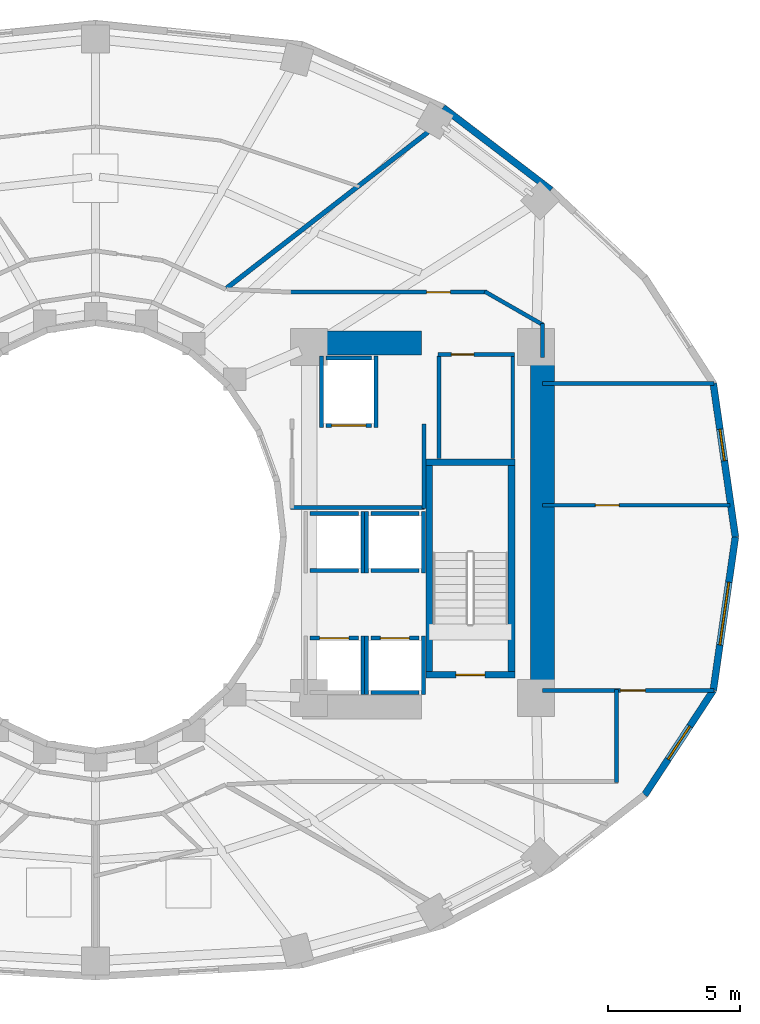
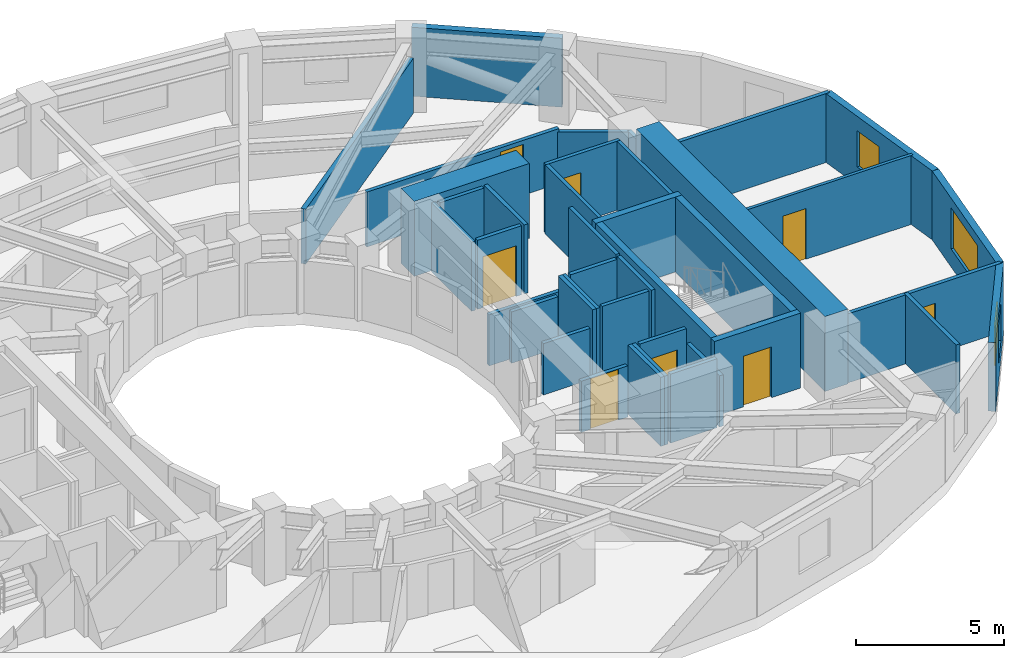
# One storey, part 6 of 9: 40 walls, 8 doors, 3 windows, 11 openings.
"""IFC4 building model written with IfcOpenShell, lengths in metres."""

from ifc_helpers import new_model, si_unit, direction, frame, frame_2d, origin, place, context, subcontext, project, spatial, rectangle, extrude, material, layer, layer_set, type_object, element, fill, save


model = new_model("IFC4")

# Units and contexts
model_context = context("Model", 3, precision=1e-05, world=origin(), true_north=direction((0.0, 1.0)))
body_context = subcontext(model_context, "Body", "Model", "MODEL_VIEW")
ifc_project = project(units=[si_unit("LENGTHUNIT", "METRE"), si_unit("AREAUNIT", "SQUARE_METRE"), si_unit("VOLUMEUNIT", "CUBIC_METRE"), si_unit("PLANEANGLEUNIT", "RADIAN"), si_unit("MASSUNIT", "GRAM", prefix="KILO")], contexts=[model_context])

# Site, building, storey
site_placement = place(None, origin())
site = spatial("IfcSite", under=ifc_project, at=site_placement, CompositionType="ELEMENT")
building_placement = place(site_placement, origin())
building = spatial("IfcBuilding", under=site, at=building_placement, Name="Solvane Sanctuary Tower", CompositionType="ELEMENT")
storey_placement = place(building_placement, frame((0.0, 0.0, 76.300048828125)))
storey = spatial("IfcBuildingStorey", under=building, at=storey_placement, Name="L22", CompositionType="ELEMENT", Elevation=76.300048828125)

# Walls
ifc_material_1 = material(Name="Concrete C70/85", Category="concrete")
ifc_layer_1 = layer(ifc_material_1, 0.89990234375, Name="Concrete C70/85")
ifc_layer_set_1 = layer_set([ifc_layer_1], Name="Concrete C70/85")
wall_type_1 = type_object("IfcWallType", Name="Wall W-CORE-900", PredefinedType="SHEAR", material=ifc_layer_set_1)
wall_1_placement = place(storey_placement, frame((48.949951171875, 17.050048828125, 0.0), z_axis=(0.0, 0.0, 1.0), x_axis=(0.0, 1.0, 0.0)))
element("IfcWall", 1, at=wall_1_placement, inside=storey, type_object=wall_type_1, Name="L22 Core Shear Wall EC-E", PredefinedType="SHEAR", context=body_context, shape_type="SweptSolid", body=[
    extrude(rectangle(XDim=12.800048828125, YDim=0.89990234375, at=frame_2d((6.39990234375, 0.0))), origin(), (0.0, 0.0, 1.0), 3.099853515625),
])
wall_2_placement = place(storey_placement, frame((39.85009765625, 30.35009765625, 0.0), z_axis=(0.0, 0.0, 1.0), x_axis=(1.0, 0.0, 0.0)))
element("IfcWall", 2, at=wall_2_placement, inside=storey, type_object=wall_type_1, Name="L22 Core Shear Wall EC-N", PredefinedType="SHEAR", context=body_context, shape_type="SweptSolid", body=[
    extrude(rectangle(XDim=4.5, YDim=0.89990234375, at=frame_2d((2.25, 0.0))), origin(), (0.0, 0.0, 1.0), 3.099853515625),
])
ifc_material_2 = material(Name="Acoustic Gypsum Partition Board")
ifc_layer_2 = layer(ifc_material_2, 0.14990234375, Name="Acoustic Gypsum Partition Board")
ifc_layer_set_2 = layer_set([ifc_layer_2], Name="Acoustic Gypsum Partition Board")
wall_type_2 = type_object("IfcWallType", Name="Wall W-CORR-150", PredefinedType="PARTITIONING", material=ifc_layer_set_2)
wall_3_placement = place(storey_placement, frame((39.39990234375, 24.1201171875, 0.0), z_axis=(0.0, 0.0, 1.0), x_axis=(1.0, 0.0, 0.0)))
element("IfcWall", 3, at=wall_3_placement, inside=storey, type_object=wall_type_2, Name="L22 East Firefighting Lobby South Wall", PredefinedType="PARTITIONING", context=body_context, shape_type="SweptSolid", body=[
    extrude(rectangle(XDim=5.080078125, YDim=0.14990234375, at=frame_2d((2.5400390625, 0.0))), origin(), (0.0, 0.0, 1.0), 2.119873046875),
])
wall_4_placement = place(storey_placement, frame((44.449951171875, 24.080078125, 0.0), z_axis=(0.0, 0.0, 1.0), x_axis=(0.0, 1.0, 0.0)))
element("IfcWall", 4, at=wall_4_placement, inside=storey, type_object=wall_type_2, Name="L22 East Firefighting Lobby East Wall", PredefinedType="PARTITIONING", context=body_context, shape_type="SweptSolid", body=[
    extrude(rectangle(XDim=3.199951171875, YDim=0.14990234375, at=frame_2d((1.60009765625, 0.0))), origin(), (0.0, 0.0, 1.0), 2.85498046875),
])

# Wall, opening, door
wall_5_placement = place(storey_placement, frame((48.949951171875, 17.1748046875, 0.0), z_axis=(0.0, 0.0, 1.0), x_axis=(1.0, 0.0, 0.0)))
wall_5 = element("IfcWall", 5, at=wall_5_placement, inside=storey, type_object=wall_type_2, Name="L22 East Shoulder South Wall", PredefinedType="PARTITIONING", context=body_context, shape_type="SweptSolid", body=[
    extrude(rectangle(XDim=6.49169921875, YDim=0.14990234375, at=frame_2d((3.245849609375, 0.0))), origin(), (0.0, 0.0, 1.0), 2.85498046875),
])
opening_1_placement = place(wall_5_placement, frame((2.947509765625, 0.0, 0.0)))
opening_1 = element("IfcOpeningElement", 6, at=opening_1_placement, cuts=wall_5, Name="Opening D-L22-08", PredefinedType="OPENING", context=body_context, shape_type="SweptSolid", body=[
    extrude(rectangle(XDim=0.949951171875, YDim=2.10009765625, at=frame_2d((0.47509765625, 1.050048828125))), frame((0.0, 0.0849609375, 0.0), z_axis=(0.0, -1.0, 0.0), x_axis=(1.0, 0.0, 0.0)), (0.0, 0.0, 1.0), 0.169921875),
])
ifc_material_3 = material(Name="Engineered Tropical Hardwood", Category="wood")
door_type_1 = type_object("IfcDoorType", Name="Door D-ROOM-950", OperationType="NOTDEFINED", PredefinedType="DOOR", material=ifc_material_3)
door_1_placement = place(opening_1_placement, origin())
door_1 = element("IfcDoor", 7, at=door_1_placement, inside=storey, type_object=door_type_1, Name="L22 East Shoulder South Door", OperationType="SINGLE_SWING_LEFT", OverallHeight=2.10009765625, OverallWidth=0.949951171875, PredefinedType="DOOR", context=body_context, shape_type="SweptSolid", body=[
    extrude(rectangle(XDim=0.949951171875, YDim=2.10009765625, at=frame_2d((0.47509765625, 1.050048828125))), frame((0.0, 0.02490234375, 0.0), z_axis=(0.0, -1.0, 0.0), x_axis=(1.0, 0.0, 0.0)), (0.0, 0.0, 1.0), 0.050048828125),
])
fill(opening_1, door_1)

# Walls
wall_6_placement = place(storey_placement, frame((48.949951171875, 28.8251953125, 0.0), z_axis=(0.0, 0.0, 1.0), x_axis=(1.0, 0.0, 0.0)))
element("IfcWall", 8, at=wall_6_placement, inside=storey, type_object=wall_type_2, Name="L22 East Shoulder North Wall", PredefinedType="PARTITIONING", context=body_context, shape_type="SweptSolid", body=[
    extrude(rectangle(XDim=6.49169921875, YDim=0.14990234375, at=frame_2d((3.245849609375, 0.0))), origin(), (0.0, 0.0, 1.0), 2.85498046875),
])
wall_7_placement = place(storey_placement, frame((48.949951171875, 29.800048828125, 0.0), z_axis=(0.0, 0.0, 1.0), x_axis=(0.0, 1.0, 0.0)))
element("IfcWall", 9, at=wall_7_placement, inside=storey, type_object=wall_type_2, Name="L22 NE Corner Closer 1", PredefinedType="PARTITIONING", context=body_context, shape_type="SweptSolid", body=[
    extrude(rectangle(XDim=1.2900390625, YDim=0.14990234375, at=frame_2d((0.64501953125, 0.0))), origin(), (0.0, 0.0, 1.0), 2.141845703125),
])

# Wall, opening, door
wall_8_placement = place(storey_placement, frame((39.330078125, 32.280029296875, 0.0), z_axis=(0.0, 0.0, 1.0), x_axis=(1.0, 0.0, 0.0)))
wall_8 = element("IfcWall", 10, at=wall_8_placement, inside=storey, type_object=wall_type_2, Name="L22 NE Corner Corridor Wall", PredefinedType="PARTITIONING", context=body_context, shape_type="SweptSolid", body=[
    extrude(rectangle(XDim=7.52001953125, YDim=0.14990234375, at=frame_2d((3.760009765625, 0.0))), origin(), (0.0, 0.0, 1.0), 2.27197265625),
])
opening_2_placement = place(wall_8_placement, frame((5.219970703125, 0.0, 0.0)))
opening_2 = element("IfcOpeningElement", 11, at=opening_2_placement, cuts=wall_8, Name="Opening D-L22-11", PredefinedType="OPENING", context=body_context, shape_type="SweptSolid", body=[
    extrude(rectangle(XDim=0.89990234375, YDim=2.10009765625, at=frame_2d((0.449951171875, 1.050048828125))), frame((0.0, 0.0849609375, 0.0), z_axis=(0.0, -1.0, 0.0), x_axis=(1.0, 0.0, 0.0)), (0.0, 0.0, 1.0), 0.169921875),
])
door_type_2 = type_object("IfcDoorType", Name="Door D-WET-900", OperationType="NOTDEFINED", PredefinedType="DOOR", material=ifc_material_3)
door_2_placement = place(opening_2_placement, origin())
door_2 = element("IfcDoor", 12, at=door_2_placement, inside=storey, type_object=door_type_2, Name="L22 NE Corner Salon Door", OperationType="SINGLE_SWING_RIGHT", OverallHeight=2.10009765625, OverallWidth=0.89990234375, PredefinedType="DOOR", context=body_context, shape_type="SweptSolid", body=[
    extrude(rectangle(XDim=0.89990234375, YDim=2.10009765625, at=frame_2d((0.449951171875, 1.050048828125))), frame((0.0, 0.02490234375, 0.0), z_axis=(0.0, -1.0, 0.0), x_axis=(1.0, 0.0, 0.0)), (0.0, 0.0, 1.0), 0.050048828125),
])
fill(opening_2, door_2)

# Walls
wall_9_placement = place(storey_placement, frame((46.756591796875, 32.3046875, 0.0), z_axis=(0.0, 0.0, 1.0), x_axis=(0.867991349648, -0.496579315857, 0.0)))
element("IfcWall", 13, at=wall_9_placement, inside=storey, type_object=wall_type_2, Name="L22 NE Corner Wing Wall", PredefinedType="PARTITIONING", context=body_context, shape_type="SweptSolid", body=[
    extrude(rectangle(XDim=2.56689453125, YDim=0.14990234375, at=frame_2d((1.283447265625, 0.0))), origin(), (0.0, 0.0, 1.0), 2.141845703125),
])
wall_10_placement = place(storey_placement, frame((51.760009765625, 13.679931640625, 0.0), z_axis=(0.0, 0.0, 1.0), x_axis=(0.0, 1.0, 0.0)))
element("IfcWall", 14, at=wall_10_placement, inside=storey, type_object=wall_type_2, Name="L22 SE Corner Closer 1", PredefinedType="PARTITIONING", context=body_context, shape_type="SweptSolid", body=[
    extrude(rectangle(XDim=3.534912109375, YDim=0.14990234375, at=frame_2d((1.767578125, 0.0))), origin(), (0.0, 0.0, 1.0), 2.85498046875),
])

# Wall, opening, window
ifc_material_4 = material(Name="Precast concrete C40/50", Category="concrete")
ifc_layer_3 = layer(ifc_material_4, 0.260009765625, Name="Precast concrete C40/50")
ifc_layer_set_3 = layer_set([ifc_layer_3], Name="Precast concrete C40/50")
wall_type_3 = type_object("IfcWallType", Name="Wall W-EXT-250", PredefinedType="STANDARD", material=ifc_layer_set_3)
wall_11_placement = place(storey_placement, frame((56.260009765625, 23.0, 0.0), z_axis=(0.0, 0.0, 1.0), x_axis=(-0.142572472068, 0.98978436551, 0.0)))
wall_11 = element("IfcWall", 15, at=wall_11_placement, inside=storey, type_object=wall_type_3, Name="L22 Ceramic-Printed Facade Wall 00", PredefinedType="STANDARD", context=body_context, shape_type="SweptSolid", body=[
    extrude(rectangle(XDim=5.878662109375, YDim=0.260009765625, at=frame_2d((2.939453125, 0.0))), origin(), (0.0, 0.0, 1.0), 2.849853515625),
])
opening_3_placement = place(wall_11_placement, frame((2.920654296875, 0.0, 0.75)))
opening_3 = element("IfcOpeningElement", 16, at=opening_3_placement, cuts=wall_11, Name="Opening WN-OPER-1200", PredefinedType="OPENING", context=body_context, shape_type="SweptSolid", body=[
    extrude(rectangle(XDim=1.199951171875, YDim=1.5, at=frame_2d((0.60009765625, 0.75))), frame((0.0, 0.139892578125, 0.0), z_axis=(0.0, -1.0, 0.0), x_axis=(1.0, 0.0, 0.0)), (0.0, 0.0, 1.0), 0.280029296875),
])
ifc_material_5 = material(Name="Dark Ceramic-Fritted Low-E Glass", Category="glass")
window_type_1 = type_object("IfcWindowType", Name="Window WN-OPER-1200", PartitioningType="SINGLE_PANEL", PredefinedType="WINDOW", material=ifc_material_5)
window_1_placement = place(opening_3_placement, origin())
window_1 = element("IfcWindow", 17, at=window_1_placement, inside=storey, type_object=window_type_1, Name="L22 Operable Facade Window 00", OverallHeight=1.5, OverallWidth=1.199951171875, PartitioningType="SINGLE_PANEL", PredefinedType="WINDOW", context=body_context, shape_type="SweptSolid", body=[
    extrude(rectangle(XDim=1.199951171875, YDim=1.5, at=frame_2d((0.60009765625, 0.75))), frame((0.0, 0.030029296875, 0.0), z_axis=(0.0, -1.0, 0.0), x_axis=(1.0, 0.0, 0.0)), (0.0, 0.0, 1.0), 0.06005859375),
])
fill(opening_3, window_1)

# Wall
wall_12_placement = place(storey_placement, frame((49.265869140625, 36.1533203125, 0.0), z_axis=(0.0, 0.0, 1.0), x_axis=(-0.794809810864, 0.606858603427, 0.0)))
element("IfcWall", 18, at=wall_12_placement, inside=storey, type_object=wall_type_3, Name="L22 Ceramic-Printed Facade Wall 03", PredefinedType="STANDARD", context=body_context, shape_type="SweptSolid", body=[
    extrude(rectangle(XDim=5.149169921875, YDim=0.260009765625, at=frame_2d((2.57470703125, 0.0))), origin(), (0.0, 0.0, 1.0), 2.849853515625),
])

# Wall, opening, window
wall_13_placement = place(storey_placement, frame((52.820556640625, 13.213623046875, 0.0), z_axis=(0.0, 0.0, 1.0), x_axis=(0.548283220945, 0.836292717672, 0.0)))
wall_13 = element("IfcWall", 19, at=wall_13_placement, inside=storey, type_object=wall_type_3, Name="L22 Ceramic-Printed Facade Wall 22", PredefinedType="STANDARD", context=body_context, shape_type="SweptSolid", body=[
    extrude(rectangle(XDim=4.744384765625, YDim=0.260009765625, at=frame_2d((2.3720703125, 0.0))), origin(), (0.0, 0.0, 1.0), 2.849853515625),
])
opening_4_placement = place(wall_13_placement, frame((1.622314453125, 0.0, 0.75)))
opening_4 = element("IfcOpeningElement", 20, at=opening_4_placement, cuts=wall_13, Name="Opening WN-OPER-1500", PredefinedType="OPENING", context=body_context, shape_type="SweptSolid", body=[
    extrude(rectangle(XDim=1.5, YDim=1.60009765625, at=frame_2d((0.75, 0.800048828125))), frame((0.0, 0.139892578125, 0.0), z_axis=(0.0, -1.0, 0.0), x_axis=(1.0, 0.0, 0.0)), (0.0, 0.0, 1.0), 0.280029296875),
])
window_type_2 = type_object("IfcWindowType", Name="Window WN-OPER-1500", PartitioningType="SINGLE_PANEL", PredefinedType="WINDOW", material=ifc_material_5)
window_2_placement = place(opening_4_placement, origin())
window_2 = element("IfcWindow", 21, at=window_2_placement, inside=storey, type_object=window_type_2, Name="L22 Operable Facade Window 22", OverallHeight=1.60009765625, OverallWidth=1.5, PartitioningType="SINGLE_PANEL", PredefinedType="WINDOW", context=body_context, shape_type="SweptSolid", body=[
    extrude(rectangle(XDim=1.5, YDim=1.60009765625, at=frame_2d((0.75, 0.800048828125))), frame((0.0, 0.030029296875, 0.0), z_axis=(0.0, -1.0, 0.0), x_axis=(1.0, 0.0, 0.0)), (0.0, 0.0, 1.0), 0.06005859375),
])
fill(opening_4, window_2)

wall_14_placement = place(storey_placement, frame((55.421875, 17.181396484375, 0.0), z_axis=(0.0, 0.0, 1.0), x_axis=(0.142572472068, 0.98978436551, 0.0)))
wall_14 = element("IfcWall", 22, at=wall_14_placement, inside=storey, type_object=wall_type_3, Name="L22 Ceramic-Printed Facade Wall 23", PredefinedType="STANDARD", context=body_context, shape_type="SweptSolid", body=[
    extrude(rectangle(XDim=5.878662109375, YDim=0.260009765625, at=frame_2d((2.939453125, 0.0))), origin(), (0.0, 0.0, 1.0), 2.849853515625),
])
opening_5_placement = place(wall_14_placement, frame((1.739501953125, 0.0, 0.75)))
opening_5 = element("IfcOpeningElement", 23, at=opening_5_placement, cuts=wall_14, Name="Opening WN-RIB-2400", PredefinedType="OPENING", context=body_context, shape_type="SweptSolid", body=[
    extrude(rectangle(XDim=2.39990234375, YDim=1.699951171875, at=frame_2d((1.199951171875, 0.85009765625))), frame((0.0, 0.139892578125, 0.0), z_axis=(0.0, -1.0, 0.0), x_axis=(1.0, 0.0, 0.0)), (0.0, 0.0, 1.0), 0.280029296875),
])
window_type_3 = type_object("IfcWindowType", Name="Window WN-RIB-2400", PartitioningType="SINGLE_PANEL", PredefinedType="WINDOW", material=ifc_material_5)
window_3_placement = place(opening_5_placement, origin())
window_3 = element("IfcWindow", 24, at=window_3_placement, inside=storey, type_object=window_type_3, Name="L22 Operable Facade Window 23", OverallHeight=1.699951171875, OverallWidth=2.39990234375, PartitioningType="SINGLE_PANEL", PredefinedType="WINDOW", context=body_context, shape_type="SweptSolid", body=[
    extrude(rectangle(XDim=2.39990234375, YDim=1.699951171875, at=frame_2d((1.199951171875, 0.85009765625))), frame((0.0, 0.030029296875, 0.0), z_axis=(0.0, -1.0, 0.0), x_axis=(1.0, 0.0, 0.0)), (0.0, 0.0, 1.0), 0.06005859375),
])
fill(opening_5, window_3)

# Wall, opening, door
ifc_layer_4 = layer(ifc_material_2, 0.1201171875, Name="Acoustic Gypsum Partition Board")
ifc_layer_set_4 = layer_set([ifc_layer_4], Name="Acoustic Gypsum Partition Board")
wall_type_4 = type_object("IfcWallType", Name="Wall W-MOV-100", PredefinedType="MOVABLE", material=ifc_layer_set_4)
wall_15_placement = place(storey_placement, frame((48.949951171875, 24.199951171875, 0.0), z_axis=(0.0, 0.0, 1.0), x_axis=(1.0, 0.0, 0.0)))
wall_15 = element("IfcWall", 25, at=wall_15_placement, inside=storey, type_object=wall_type_4, Name="L22 East Suite Partition", PredefinedType="MOVABLE", context=body_context, shape_type="SweptSolid", body=[
    extrude(rectangle(XDim=7.097412109375, YDim=0.1201171875, at=frame_2d((3.548828125, 0.0))), origin(), (0.0, 0.0, 1.0), 2.85498046875),
])
opening_6_placement = place(wall_15_placement, frame((2.0, 0.0, 0.0)))
opening_6 = element("IfcOpeningElement", 26, at=opening_6_placement, cuts=wall_15, Name="Opening D-L22-09", PredefinedType="OPENING", context=body_context, shape_type="SweptSolid", body=[
    extrude(rectangle(XDim=0.89990234375, YDim=2.10009765625, at=frame_2d((0.449951171875, 1.050048828125))), frame((0.0, 0.070068359375, 0.0), z_axis=(0.0, -1.0, 0.0), x_axis=(1.0, 0.0, 0.0)), (0.0, 0.0, 1.0), 0.14013671875),
])
door_3_placement = place(opening_6_placement, origin())
door_3 = element("IfcDoor", 27, at=door_3_placement, inside=storey, type_object=door_type_2, Name="L22 East Suite Internal Door", OperationType="SINGLE_SWING_RIGHT", OverallHeight=2.10009765625, OverallWidth=0.89990234375, PredefinedType="DOOR", context=body_context, shape_type="SweptSolid", body=[
    extrude(rectangle(XDim=0.89990234375, YDim=2.10009765625, at=frame_2d((0.449951171875, 1.050048828125))), frame((0.0, 0.02490234375, 0.0), z_axis=(0.0, -1.0, 0.0), x_axis=(1.0, 0.0, 0.0)), (0.0, 0.0, 1.0), 0.050048828125),
])
fill(opening_6, door_3)

ifc_material_6 = material(Name="Concrete C50/60", Category="concrete")
ifc_layer_5 = layer(ifc_material_6, 0.14990234375, Name="Concrete C50/60")
ifc_layer_set_5 = layer_set([ifc_layer_5], Name="Concrete C50/60")
wall_type_5 = type_object("IfcWallType", Name="Wall W-SHAFT-150", PredefinedType="SOLIDWALL", material=ifc_layer_set_5)
wall_16_placement = place(storey_placement, frame((40.139892578125, 19.159912109375, 0.0), z_axis=(0.0, 0.0, 1.0), x_axis=(1.0, 0.0, 0.0)))
wall_16 = element("IfcWall", 28, at=wall_16_placement, inside=storey, type_object=wall_type_5, Name="L22 PL-3 Lift Shaft Wall F", PredefinedType="SOLIDWALL", context=body_context, shape_type="SweptSolid", body=[
    extrude(rectangle(XDim=1.820068359375, YDim=0.14990234375, at=frame_2d((0.91015625, 0.0))), origin(), (0.0, 0.0, 1.0), 2.119873046875),
])
opening_7_placement = place(wall_16_placement, frame((0.360107421875, 0.0, 0.0)))
opening_7 = element("IfcOpeningElement", 29, at=opening_7_placement, cuts=wall_16, Name="Opening LD-L22-03", PredefinedType="OPENING", context=body_context, shape_type="SweptSolid", body=[
    extrude(rectangle(XDim=1.10009765625, YDim=2.10009765625, at=frame_2d((0.550048828125, 1.050048828125))), frame((0.0, 0.0849609375, 0.0), z_axis=(0.0, -1.0, 0.0), x_axis=(1.0, 0.0, 0.0)), (0.0, 0.0, 1.0), 0.169921875),
])
ifc_material_7 = material(Name="Architectural Stainless Steel 316", Category="steel")
door_type_3 = type_object("IfcDoorType", Name="Door LD-PASS-1100", OperationType="NOTDEFINED", PredefinedType="DOOR", material=ifc_material_7)
door_4_placement = place(opening_7_placement, origin())
door_4 = element("IfcDoor", 30, at=door_4_placement, inside=storey, type_object=door_type_3, Name="L22 PL-3 Lift Landing Door", OperationType="DOUBLE_DOOR_SLIDING", OverallHeight=2.10009765625, OverallWidth=1.10009765625, PredefinedType="DOOR", context=body_context, shape_type="SweptSolid", body=[
    extrude(rectangle(XDim=1.10009765625, YDim=2.10009765625, at=frame_2d((0.550048828125, 1.050048828125))), frame((0.0, 0.02490234375, 0.0), z_axis=(0.0, -1.0, 0.0), x_axis=(1.0, 0.0, 0.0)), (0.0, 0.0, 1.0), 0.050048828125),
])
fill(opening_7, door_4)

# Wall
wall_17_placement = place(storey_placement, frame((42.1298828125, 17.02001953125, 0.0), z_axis=(0.0, 0.0, 1.0), x_axis=(0.0, 1.0, 0.0)))
element("IfcWall", 31, at=wall_17_placement, inside=storey, type_object=wall_type_5, Name="L22 PL-3 Lift Shaft Wall S2", PredefinedType="SOLIDWALL", context=body_context, shape_type="SweptSolid", body=[
    extrude(rectangle(XDim=2.219970703125, YDim=0.14990234375, at=frame_2d((1.10986328125, 0.0))), origin(), (0.0, 0.0, 1.0), 2.85498046875),
])

# Wall, opening, door
wall_18_placement = place(storey_placement, frame((42.43994140625, 19.159912109375, 0.0), z_axis=(0.0, 0.0, 1.0), x_axis=(1.0, 0.0, 0.0)))
wall_18 = element("IfcWall", 32, at=wall_18_placement, inside=storey, type_object=wall_type_5, Name="L22 PL-4 Lift Shaft Wall F", PredefinedType="SOLIDWALL", context=body_context, shape_type="SweptSolid", body=[
    extrude(rectangle(XDim=1.820068359375, YDim=0.14990234375, at=frame_2d((0.91015625, 0.0))), origin(), (0.0, 0.0, 1.0), 2.85498046875),
])
opening_8_placement = place(wall_18_placement, frame((0.360107421875, 0.0, 0.0)))
opening_8 = element("IfcOpeningElement", 33, at=opening_8_placement, cuts=wall_18, Name="Opening LD-L22-04", PredefinedType="OPENING", context=body_context, shape_type="SweptSolid", body=[
    extrude(rectangle(XDim=1.10009765625, YDim=2.10009765625, at=frame_2d((0.550048828125, 1.050048828125))), frame((0.0, 0.0849609375, 0.0), z_axis=(0.0, -1.0, 0.0), x_axis=(1.0, 0.0, 0.0)), (0.0, 0.0, 1.0), 0.169921875),
])
door_5_placement = place(opening_8_placement, origin())
door_5 = element("IfcDoor", 34, at=door_5_placement, inside=storey, type_object=door_type_3, Name="L22 PL-4 Lift Landing Door", OperationType="DOUBLE_DOOR_SLIDING", OverallHeight=2.10009765625, OverallWidth=1.10009765625, PredefinedType="DOOR", context=body_context, shape_type="SweptSolid", body=[
    extrude(rectangle(XDim=1.10009765625, YDim=2.10009765625, at=frame_2d((0.550048828125, 1.050048828125))), frame((0.0, 0.02490234375, 0.0), z_axis=(0.0, -1.0, 0.0), x_axis=(1.0, 0.0, 0.0)), (0.0, 0.0, 1.0), 0.050048828125),
])
fill(opening_8, door_5)

# Walls
wall_19_placement = place(storey_placement, frame((42.43994140625, 17.10009765625, 0.0), z_axis=(0.0, 0.0, 1.0), x_axis=(1.0, 0.0, 0.0)))
element("IfcWall", 35, at=wall_19_placement, inside=storey, type_object=wall_type_5, Name="L22 PL-4 Lift Shaft Wall B", PredefinedType="SOLIDWALL", context=body_context, shape_type="SweptSolid", body=[
    extrude(rectangle(XDim=1.820068359375, YDim=0.14990234375, at=frame_2d((0.91015625, 0.0))), origin(), (0.0, 0.0, 1.0), 2.85498046875),
])
wall_20_placement = place(storey_placement, frame((42.27001953125, 17.02001953125, 0.0), z_axis=(0.0, 0.0, 1.0), x_axis=(0.0, 1.0, 0.0)))
element("IfcWall", 36, at=wall_20_placement, inside=storey, type_object=wall_type_5, Name="L22 PL-4 Lift Shaft Wall S1", PredefinedType="SOLIDWALL", context=body_context, shape_type="SweptSolid", body=[
    extrude(rectangle(XDim=2.219970703125, YDim=0.14990234375, at=frame_2d((1.10986328125, 0.0))), origin(), (0.0, 0.0, 1.0), 2.85498046875),
])
wall_21_placement = place(storey_placement, frame((44.429931640625, 17.02001953125, 0.0), z_axis=(0.0, 0.0, 1.0), x_axis=(0.0, 1.0, 0.0)))
element("IfcWall", 37, at=wall_21_placement, inside=storey, type_object=wall_type_5, Name="L22 PL-4 Lift Shaft Wall S2", PredefinedType="SOLIDWALL", context=body_context, shape_type="SweptSolid", body=[
    extrude(rectangle(XDim=2.219970703125, YDim=0.14990234375, at=frame_2d((1.10986328125, 0.0))), origin(), (0.0, 0.0, 1.0), 2.119873046875),
])
for number, where, z_axis, x_axis, name in (
    (38, (42.43994140625, 21.719970703125, 0.0), (0.0, 0.0, 1.0), (1.0, 0.0, 0.0), "L22 PM-2 Lift Shaft Wall F"),
    (39, (42.43994140625, 23.8798828125, 0.0), (0.0, 0.0, 1.0), (1.0, 0.0, 0.0), "L22 PM-2 Lift Shaft Wall B"),
):
    element("IfcWall", number, at=place(storey_placement, frame(where, z_axis=z_axis, x_axis=x_axis)), inside=storey, type_object=wall_type_5, Name=name, PredefinedType="SOLIDWALL", context=body_context, shape_type="SweptSolid", body=[
        extrude(rectangle(XDim=1.820068359375, YDim=0.14990234375, at=frame_2d((0.91015625, 0.0))), origin(), (0.0, 0.0, 1.0), 2.85498046875),
    ])
for number, where, z_axis, x_axis, name in (
    (40, (42.27001953125, 21.639892578125, 0.0), (0.0, 0.0, 1.0), (0.0, 1.0, 0.0), "L22 PM-2 Lift Shaft Wall S1"),
    (41, (44.429931640625, 21.639892578125, 0.0), (0.0, 0.0, 1.0), (0.0, 1.0, 0.0), "L22 PM-2 Lift Shaft Wall S2"),
):
    element("IfcWall", number, at=place(storey_placement, frame(where, z_axis=z_axis, x_axis=x_axis)), inside=storey, type_object=wall_type_5, Name=name, PredefinedType="SOLIDWALL", context=body_context, shape_type="SweptSolid", body=[
        extrude(rectangle(XDim=2.320068359375, YDim=0.14990234375, at=frame_2d((1.16015625, 0.0))), origin(), (0.0, 0.0, 1.0), 2.85498046875),
    ])
for number, where, z_axis, x_axis, name in (
    (42, (40.139892578125, 21.719970703125, 0.0), (0.0, 0.0, 1.0), (1.0, 0.0, 0.0), "L22 PH-2 Lift Shaft Wall F"),
    (43, (40.139892578125, 23.8798828125, 0.0), (0.0, 0.0, 1.0), (1.0, 0.0, 0.0), "L22 PH-2 Lift Shaft Wall B"),
):
    element("IfcWall", number, at=place(storey_placement, frame(where, z_axis=z_axis, x_axis=x_axis)), inside=storey, type_object=wall_type_5, Name=name, PredefinedType="SOLIDWALL", context=body_context, shape_type="SweptSolid", body=[
        extrude(rectangle(XDim=1.820068359375, YDim=0.14990234375, at=frame_2d((0.91015625, 0.0))), origin(), (0.0, 0.0, 1.0), 2.119873046875),
    ])
wall_22_placement = place(storey_placement, frame((42.1298828125, 21.639892578125, 0.0), z_axis=(0.0, 0.0, 1.0), x_axis=(0.0, 1.0, 0.0)))
element("IfcWall", 44, at=wall_22_placement, inside=storey, type_object=wall_type_5, Name="L22 PH-2 Lift Shaft Wall S2", PredefinedType="SOLIDWALL", context=body_context, shape_type="SweptSolid", body=[
    extrude(rectangle(XDim=2.320068359375, YDim=0.14990234375, at=frame_2d((1.16015625, 0.0))), origin(), (0.0, 0.0, 1.0), 2.85498046875),
])

# Wall, opening, door
wall_23_placement = place(storey_placement, frame((40.739990234375, 27.219970703125, 0.0), z_axis=(0.0, 0.0, 1.0), x_axis=(1.0, 0.0, 0.0)))
wall_23 = element("IfcWall", 45, at=wall_23_placement, inside=storey, type_object=wall_type_5, Name="L22 FFL-2 Lift Shaft Wall F", PredefinedType="SOLIDWALL", context=body_context, shape_type="SweptSolid", body=[
    extrude(rectangle(XDim=1.719970703125, YDim=0.14990234375, at=frame_2d((0.85986328125, 0.0))), origin(), (0.0, 0.0, 1.0), 2.85498046875),
])
opening_9_placement = place(wall_23_placement, frame((0.2099609375, 0.0, 0.0)))
opening_9 = element("IfcOpeningElement", 46, at=opening_9_placement, cuts=wall_23, Name="Opening LD-L22-07", PredefinedType="OPENING", context=body_context, shape_type="SweptSolid", body=[
    extrude(rectangle(XDim=1.300048828125, YDim=2.10009765625, at=frame_2d((0.64990234375, 1.050048828125))), frame((0.0, 0.0849609375, 0.0), z_axis=(0.0, -1.0, 0.0), x_axis=(1.0, 0.0, 0.0)), (0.0, 0.0, 1.0), 0.169921875),
])
door_type_4 = type_object("IfcDoorType", Name="Door LD-FFL-1300", OperationType="NOTDEFINED", PredefinedType="DOOR", material=ifc_material_7)
door_6_placement = place(opening_9_placement, origin())
door_6 = element("IfcDoor", 47, at=door_6_placement, inside=storey, type_object=door_type_4, Name="L22 FFL-2 Lift Landing Door", OperationType="DOUBLE_DOOR_SLIDING", OverallHeight=2.10009765625, OverallWidth=1.300048828125, PredefinedType="DOOR", context=body_context, shape_type="SweptSolid", body=[
    extrude(rectangle(XDim=1.300048828125, YDim=2.10009765625, at=frame_2d((0.64990234375, 1.050048828125))), frame((0.0, 0.02490234375, 0.0), z_axis=(0.0, -1.0, 0.0), x_axis=(1.0, 0.0, 0.0)), (0.0, 0.0, 1.0), 0.050048828125),
])
fill(opening_9, door_6)

# Walls
wall_24_placement = place(storey_placement, frame((40.739990234375, 29.780029296875, 0.0), z_axis=(0.0, 0.0, 1.0), x_axis=(1.0, 0.0, 0.0)))
element("IfcWall", 48, at=wall_24_placement, inside=storey, type_object=wall_type_5, Name="L22 FFL-2 Lift Shaft Wall B", PredefinedType="SOLIDWALL", context=body_context, shape_type="SweptSolid", body=[
    extrude(rectangle(XDim=1.719970703125, YDim=0.14990234375, at=frame_2d((0.85986328125, 0.0))), origin(), (0.0, 0.0, 1.0), 2.85498046875),
])
for number, where, z_axis, x_axis, name in (
    (49, (40.570068359375, 27.139892578125, 0.0), (0.0, 0.0, 1.0), (0.0, 1.0, 0.0), "L22 FFL-2 Lift Shaft Wall S1"),
    (50, (42.6298828125, 27.139892578125, 0.0), (0.0, 0.0, 1.0), (0.0, 1.0, 0.0), "L22 FFL-2 Lift Shaft Wall S2"),
):
    element("IfcWall", number, at=place(storey_placement, frame(where, z_axis=z_axis, x_axis=x_axis)), inside=storey, type_object=wall_type_5, Name=name, PredefinedType="SOLIDWALL", context=body_context, shape_type="SweptSolid", body=[
        extrude(rectangle(XDim=2.72021484375, YDim=0.14990234375, at=frame_2d((1.360107421875, 0.0))), origin(), (0.0, 0.0, 1.0), 2.85498046875),
    ])

# Wall, opening, door
ifc_layer_6 = layer(ifc_material_6, 0.25, Name="Concrete C50/60")
ifc_layer_set_6 = layer_set([ifc_layer_6], Name="Concrete C50/60")
wall_type_6 = type_object("IfcWallType", Name="Wall W-SHAFT-250", PredefinedType="SOLIDWALL", material=ifc_layer_set_6)
wall_25_placement = place(storey_placement, frame((44.52490234375, 17.77001953125, 0.0), z_axis=(0.0, 0.0, 1.0), x_axis=(1.0, 0.0, 0.0)))
wall_25 = element("IfcWall", 51, at=wall_25_placement, inside=storey, type_object=wall_type_6, Name="L22 ST-2 Load-Bearing Shaft Wall S", PredefinedType="SOLIDWALL", context=body_context, shape_type="SweptSolid", body=[
    extrude(rectangle(XDim=3.3701171875, YDim=0.25, at=frame_2d((1.68505859375, 0.0))), origin(), (0.0, 0.0, 1.0), 3.099853515625),
])
opening_10_placement = place(wall_25_placement, frame((1.135009765625, 0.0, 0.0)))
opening_10 = element("IfcOpeningElement", 52, at=opening_10_placement, cuts=wall_25, Name="Opening D-L22-02", PredefinedType="OPENING", context=body_context, shape_type="SweptSolid", body=[
    extrude(rectangle(XDim=1.10009765625, YDim=2.10009765625, at=frame_2d((0.550048828125, 1.050048828125))), frame((0.0, 0.135009765625, 0.0), z_axis=(0.0, -1.0, 0.0), x_axis=(1.0, 0.0, 0.0)), (0.0, 0.0, 1.0), 0.27001953125),
])
door_type_5 = type_object("IfcDoorType", Name="Door D-STAIR", OperationType="NOTDEFINED", PredefinedType="DOOR", material=ifc_material_7)
door_7_placement = place(opening_10_placement, origin())
door_7 = element("IfcDoor", 53, at=door_7_placement, inside=storey, type_object=door_type_5, Name="L22 ST-2 Exit Stair Fire Door", OperationType="SINGLE_SWING_LEFT", OverallHeight=2.10009765625, OverallWidth=1.10009765625, PredefinedType="DOOR", context=body_context, shape_type="SweptSolid", body=[
    extrude(rectangle(XDim=1.10009765625, YDim=2.10009765625, at=frame_2d((0.550048828125, 1.050048828125))), frame((0.0, 0.02490234375, 0.0), z_axis=(0.0, -1.0, 0.0), x_axis=(1.0, 0.0, 0.0)), (0.0, 0.0, 1.0), 0.050048828125),
])
fill(opening_10, door_7)

# Walls
wall_26_placement = place(storey_placement, frame((44.52490234375, 25.830078125, 0.0), z_axis=(0.0, 0.0, 1.0), x_axis=(1.0, 0.0, 0.0)))
element("IfcWall", 54, at=wall_26_placement, inside=storey, type_object=wall_type_6, Name="L22 ST-2 Load-Bearing Shaft Wall N", PredefinedType="SOLIDWALL", context=body_context, shape_type="SweptSolid", body=[
    extrude(rectangle(XDim=3.3701171875, YDim=0.25, at=frame_2d((1.68505859375, 0.0))), origin(), (0.0, 0.0, 1.0), 3.099853515625),
])
for number, where, z_axis, x_axis, name in (
    (55, (44.64990234375, 17.89501953125, 0.0), (0.0, 0.0, 1.0), (0.0, 1.0, 0.0), "L22 ST-2 Load-Bearing Shaft Wall W"),
    (56, (47.77001953125, 17.89501953125, 0.0), (0.0, 0.0, 1.0), (0.0, 1.0, 0.0), "L22 ST-2 Load-Bearing Shaft Wall E"),
):
    element("IfcWall", number, at=place(storey_placement, frame(where, z_axis=z_axis, x_axis=x_axis)), inside=storey, type_object=wall_type_6, Name=name, PredefinedType="SOLIDWALL", context=body_context, shape_type="SweptSolid", body=[
        extrude(rectangle(XDim=7.81005859375, YDim=0.25, at=frame_2d((3.905029296875, 0.0))), origin(), (0.0, 0.0, 1.0), 3.099853515625),
    ])
ifc_layer_7 = layer(ifc_material_2, 0.179931640625, Name="Acoustic Gypsum Partition Board")
ifc_layer_set_7 = layer_set([ifc_layer_7], Name="Acoustic Gypsum Partition Board")
wall_type_7 = type_object("IfcWallType", Name="Wall W-UNIT-180", PredefinedType="PARTITIONING", material=ifc_layer_set_7)
wall_27_placement = place(storey_placement, frame((36.968505859375, 32.43017578125, 0.0), z_axis=(0.0, 0.0, 1.0), x_axis=(0.790421780952, 0.612562983045, 0.0)))
element("IfcWall", 57, at=wall_27_placement, inside=storey, type_object=wall_type_7, Name="L22 Radial Compartment Wall 060", PredefinedType="PARTITIONING", context=body_context, shape_type="SweptSolid", body=[
    extrude(rectangle(XDim=9.662109375, YDim=0.179931640625, at=frame_2d((4.8310546875, 0.0))), origin(), (0.0, 0.0, 1.0), 2.27197265625),
])

# Wall, opening, door
ifc_layer_8 = layer(ifc_material_2, 0.139892578125, Name="Acoustic Gypsum Partition Board")
ifc_layer_set_8 = layer_set([ifc_layer_8], Name="Acoustic Gypsum Partition Board")
wall_type_8 = type_object("IfcWallType", Name="Wall W-WET-140", PredefinedType="PLUMBINGWALL", material=ifc_layer_set_8)
wall_28_placement = place(storey_placement, frame((44.97998046875, 29.919921875, 0.0), z_axis=(0.0, 0.0, 1.0), x_axis=(1.0, 0.0, 0.0)))
wall_28 = element("IfcWall", 58, at=wall_28_placement, inside=storey, type_object=wall_type_8, Name="L22 Core Service Front Wall KE0", PredefinedType="PLUMBINGWALL", context=body_context, shape_type="SweptSolid", body=[
    extrude(rectangle(XDim=2.89990234375, YDim=0.139892578125, at=frame_2d((1.449951171875, 0.0))), origin(), (0.0, 0.0, 1.0), 2.85498046875),
])
opening_11_placement = place(wall_28_placement, frame((0.515869140625, 0.0, 0.0)))
opening_11 = element("IfcOpeningElement", 59, at=opening_11_placement, cuts=wall_28, Name="Opening D-L22-07", PredefinedType="OPENING", context=body_context, shape_type="SweptSolid", body=[
    extrude(rectangle(XDim=0.85009765625, YDim=2.050048828125, at=frame_2d((0.425048828125, 1.02490234375))), frame((0.0, 0.079833984375, 0.0), z_axis=(0.0, -1.0, 0.0), x_axis=(1.0, 0.0, 0.0)), (0.0, 0.0, 1.0), 0.159912109375),
])
door_type_6 = type_object("IfcDoorType", Name="Door D-RISER", OperationType="NOTDEFINED", PredefinedType="DOOR", material=ifc_material_7)
door_8_placement = place(opening_11_placement, origin())
door_8 = element("IfcDoor", 60, at=door_8_placement, inside=storey, type_object=door_type_6, Name="L22 Core Service Room Door KE0-1", OperationType="SINGLE_SWING_RIGHT", OverallHeight=2.050048828125, OverallWidth=0.85009765625, PredefinedType="DOOR", context=body_context, shape_type="SweptSolid", body=[
    extrude(rectangle(XDim=0.85009765625, YDim=2.050048828125, at=frame_2d((0.425048828125, 1.02490234375))), frame((0.0, 0.02490234375, 0.0), z_axis=(0.0, -1.0, 0.0), x_axis=(1.0, 0.0, 0.0)), (0.0, 0.0, 1.0), 0.050048828125),
])
fill(opening_11, door_8)

# Walls
for number, where, z_axis, x_axis, name in (
    (61, (45.02001953125, 25.97998046875, 0.0), (0.0, 0.0, 1.0), (0.0, 1.0, 0.0), "L22 Core Service Side Wall KE0-1"),
    (62, (47.820068359375, 25.97998046875, 0.0), (0.0, 0.0, 1.0), (0.0, 1.0, 0.0), "L22 Core Service Side Wall KE0-2"),
):
    element("IfcWall", number, at=place(storey_placement, frame(where, z_axis=z_axis, x_axis=x_axis)), inside=storey, type_object=wall_type_8, Name=name, PredefinedType="PLUMBINGWALL", context=body_context, shape_type="SweptSolid", body=[
        extrude(rectangle(XDim=3.880126953125, YDim=0.139892578125, at=frame_2d((1.93994140625, 0.0))), origin(), (0.0, 0.0, 1.0), 2.85498046875),
    ])

save(model, "model.ifc")
